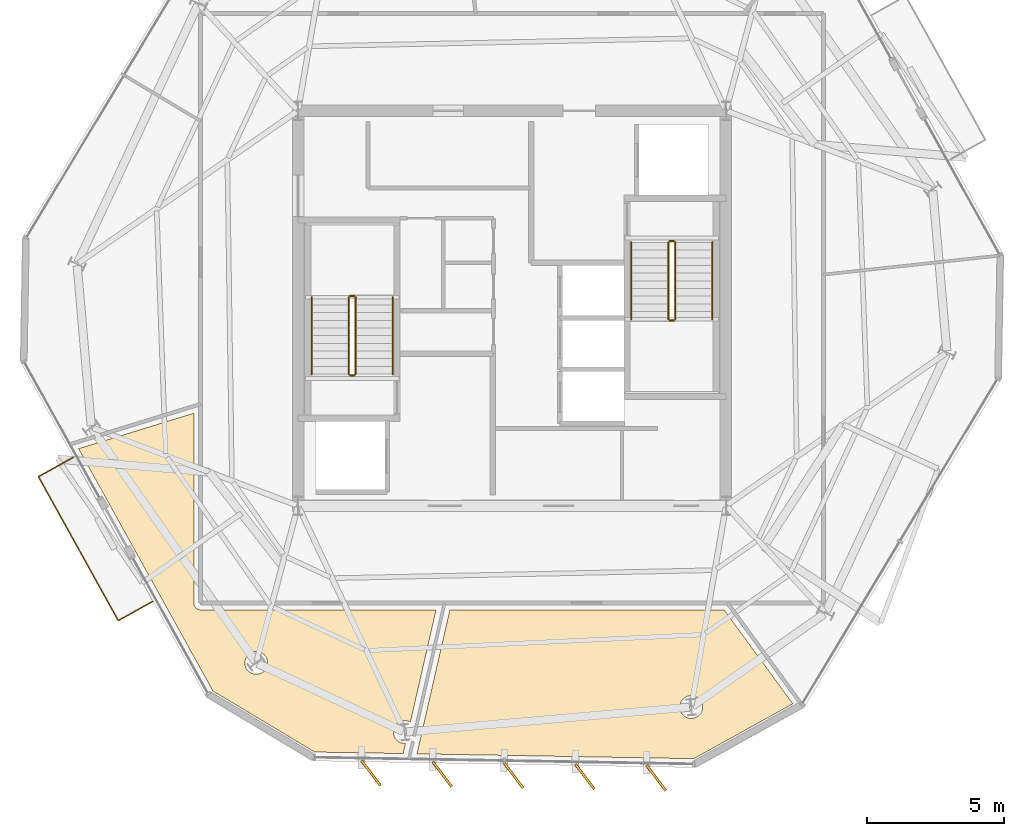
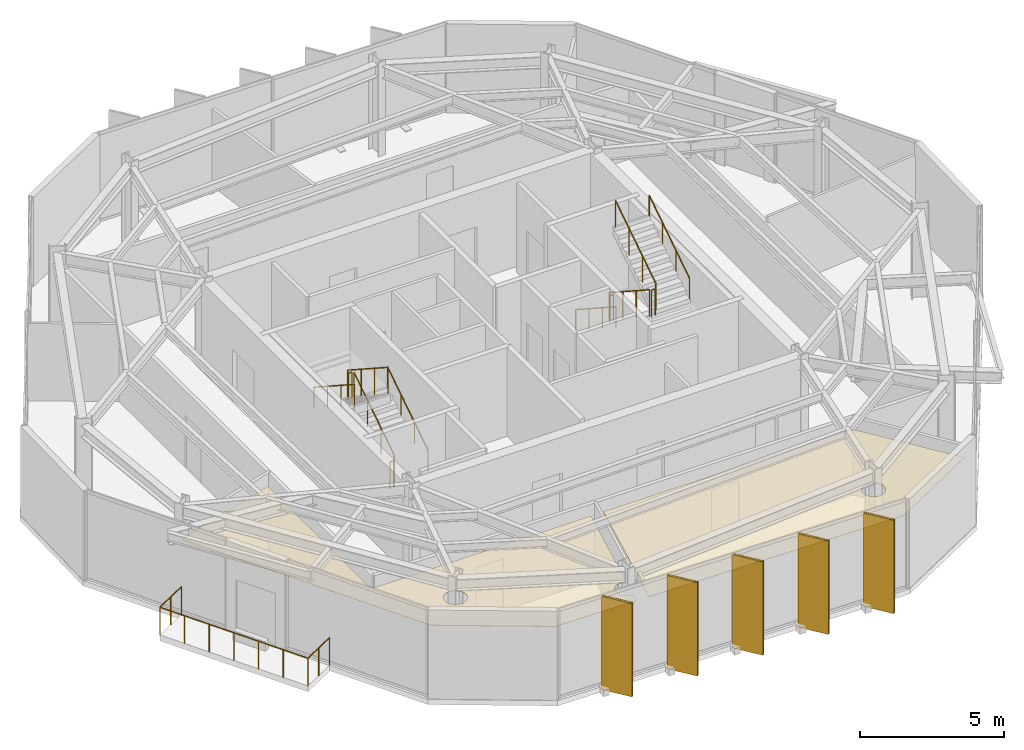
# One storey, part 9 of 10: 13 railings, 7 coverings, 5 shading devices.
"""IFC4 building model written with IfcOpenShell, lengths in metres."""

from ifc_helpers import new_model, si_unit, direction, frame, origin, origin_2d, place, context, subcontext, project, spatial, polyline, rectangle, circle, outline, extrude, material, layer, layer_set, type_object, element, save


model = new_model("IFC4")

# Units and contexts
model_context = context("Model", 3, precision=1e-05, world=origin(), true_north=direction((0.0, 1.0)))
body_context = subcontext(model_context, "Body", "Model", "MODEL_VIEW")
ifc_project = project(units=[si_unit("LENGTHUNIT", "METRE"), si_unit("AREAUNIT", "SQUARE_METRE"), si_unit("VOLUMEUNIT", "CUBIC_METRE"), si_unit("PLANEANGLEUNIT", "RADIAN"), si_unit("MASSUNIT", "GRAM", prefix="KILO")], contexts=[model_context])

# Site, building, storey
site_placement = place(None, origin())
site = spatial("IfcSite", under=ifc_project, at=site_placement, CompositionType="ELEMENT")
building_placement = place(site_placement, origin())
building = spatial("IfcBuilding", under=site, at=building_placement, Name="Kranzbogen Civic Tower", CompositionType="ELEMENT")
storey_placement = place(building_placement, frame((0.0, 0.0, 262.199951171875)))
storey = spatial("IfcBuildingStorey", under=building, at=storey_placement, Name="L63", CompositionType="ELEMENT", Elevation=262.199951171875)

# Coverings
ifc_material_1 = material(Name="Pale Anodised Aluminium", Category="aluminium")
ifc_layer_1 = layer(ifc_material_1, 0.02490234375, Name="Pale Anodised Aluminium")
ifc_layer_set_1 = layer_set([ifc_layer_1], Name="Pale Anodised Aluminium")
covering_type_1 = type_object("IfcCoveringType", Name="Anodised Aluminium Vertical Fin Cladding 25 mm", PredefinedType="CLADDING", material=ifc_layer_set_1)
for number, where, z_axis, x_axis, name in (
    (1, (19.85888671875, 8.06005859375, -0.139892578125), (0.0, 0.0, 1.0), (0.603722919162, -0.797194227826, 0.0), "L63 vertical fin pale-metal cladding F4-1"),
    (2, (22.4580078125, 8.014892578125, -0.139892578125), (0.0, 0.0, 1.0), (0.603722919162, -0.797194227826, 0.0), "L63 vertical fin pale-metal cladding F4-2"),
    (3, (25.05810546875, 7.968994140625, -0.139892578125), (0.0, 0.0, 1.0), (0.603722919162, -0.797194227826, 0.0), "L63 vertical fin pale-metal cladding F4-3"),
    (4, (27.657958984375, 7.924072265625, -0.139892578125), (0.0, 0.0, 1.0), (0.603722919162, -0.797194227826, 0.0), "L63 vertical fin pale-metal cladding F4-4"),
    (5, (30.257080078125, 7.8779296875, -0.139892578125), (0.0, 0.0, 1.0), (0.603722919162, -0.797194227826, 0.0), "L63 vertical fin pale-metal cladding F4-5"),
):
    element("IfcCovering", number, at=place(storey_placement, frame(where, z_axis=z_axis, x_axis=x_axis)), inside=storey, type_object=covering_type_1, Name=name, PredefinedType="CLADDING", context=body_context, shape_type="SweptSolid", body=[
        extrude(rectangle(XDim=1.14990234375, YDim=0.094970703125, at=origin_2d()), origin(), (0.0, 0.0, 1.0), 3.9599609375),
    ])

# Railings
ifc_material_2 = material(Name="Anodised Bronze Aluminium", Category="aluminium")
railing_type_1 = type_object("IfcRailingType", Name="Cantilevered Balcony Glass and Bronze Balustrade 1200", PredefinedType="BALUSTRADE", material=ifc_material_2)
railing_1_placement = place(storey_placement, frame((9.0048828125, 19.56396484375, 0.0)))
element("IfcRailing", 6, at=railing_1_placement, inside=storey, type_object=railing_type_1, Name="L63 exterior terrace balustrade L63-TB2", PredefinedType="BALUSTRADE", context=body_context, shape_type="SweptSolid", body=[
    extrude(circle(Radius=0.02392578125, at=origin_2d()), frame((0.0, 0.0, 1.17578125), z_axis=(-0.87458592003, -0.484870568797, 0.0), x_axis=(0.484870568797, -0.87458592003, 0.0)), (0.0, 0.0, 1.0), 1.44970703125),
    extrude(circle(Radius=0.02392578125, at=origin_2d()), frame((-1.267822265625, -0.702880859375, 1.17578125), z_axis=(0.484796318469, -0.874627080303, 0.0), x_axis=(0.874627080303, 0.484796318469, 0.0)), (0.0, 0.0, 1.0), 6.000244140625),
    extrude(circle(Radius=0.02392578125, at=origin_2d()), frame((1.64111328125, -5.950927734375, 1.17578125), z_axis=(0.874625505869, 0.484799158914, 0.0), x_axis=(-0.484799158914, 0.874625505869, 0.0)), (0.0, 0.0, 1.0), 1.449951171875),
    extrude(circle(Radius=0.02099609375, at=origin_2d()), origin(), (0.0, 0.0, 1.0), 1.15185546875),
    extrude(circle(Radius=0.02099609375, at=origin_2d()), frame((-0.6337890625, -0.3515625, 0.0)), (0.0, 0.0, 1.0), 1.15185546875),
    extrude(circle(Radius=0.02099609375, at=origin_2d()), frame((-1.267822265625, -0.702880859375, 0.0)), (0.0, 0.0, 1.0), 1.15185546875),
    extrude(circle(Radius=0.02099609375, at=origin_2d()), frame((-0.782958984375, -1.57763671875, 0.0)), (0.0, 0.0, 1.0), 1.15185546875),
    extrude(circle(Radius=0.02099609375, at=origin_2d()), frame((-0.298095703125, -2.4521484375, 0.0)), (0.0, 0.0, 1.0), 1.15185546875),
    extrude(circle(Radius=0.02099609375, at=origin_2d()), frame((0.1865234375, -3.326904296875, 0.0)), (0.0, 0.0, 1.0), 1.15185546875),
    extrude(circle(Radius=0.02099609375, at=origin_2d()), frame((0.67138671875, -4.20166015625, 0.0)), (0.0, 0.0, 1.0), 1.15185546875),
    extrude(circle(Radius=0.02099609375, at=origin_2d()), frame((1.15625, -5.076171875, 0.0)), (0.0, 0.0, 1.0), 1.15185546875),
    extrude(circle(Radius=0.02099609375, at=origin_2d()), frame((1.64111328125, -5.950927734375, 0.0)), (0.0, 0.0, 1.0), 1.15185546875),
    extrude(circle(Radius=0.02099609375, at=origin_2d()), frame((2.275146484375, -5.599609375, 0.0)), (0.0, 0.0, 1.0), 1.15185546875),
    extrude(circle(Radius=0.02099609375, at=origin_2d()), frame((2.9091796875, -5.248046875, 0.0)), (0.0, 0.0, 1.0), 1.15185546875),
])
ifc_material_3 = material(Name="Steel S355", Category="steel")
railing_type_2 = type_object("IfcRailingType", Name="Internal Stair and Void Steel Guardrail 1150", PredefinedType="GUARDRAIL", material=ifc_material_3)
railing_2_placement = place(storey_placement, frame((19.300048828125, 22.60009765625, 0.181884765625)))
element("IfcRailing", 7, at=railing_2_placement, inside=storey, type_object=railing_type_2, Name="L63 ST-T1 stair guard 1", PredefinedType="GUARDRAIL", context=body_context, shape_type="SweptSolid", body=[
    extrude(circle(Radius=0.02392578125, at=origin_2d()), frame((0.0, 0.0, 1.1259765625), z_axis=(0.0, 0.83868413941, 0.544618136222), x_axis=(-1.0, 0.0, 0.0)), (0.0, 0.0, 1.0), 3.33837890625),
    extrude(circle(Radius=0.02099609375, at=origin_2d()), origin(), (0.0, 0.0, 1.0), 1.101806640625),
    extrude(circle(Radius=0.02099609375, at=origin_2d()), frame((0.0, 0.933349609375, 0.60595703125)), (0.0, 0.0, 1.0), 1.101806640625),
    extrude(circle(Radius=0.02099609375, at=origin_2d()), frame((0.0, 1.866455078125, 1.212158203125)), (0.0, 0.0, 1.0), 1.101806640625),
    extrude(circle(Radius=0.02099609375, at=origin_2d()), frame((0.0, 2.7998046875, 1.818115234375)), (0.0, 0.0, 1.0), 1.101806640625),
])
railing_3_placement = place(storey_placement, frame((19.25, 25.449951171875, 2.0)))
element("IfcRailing", 8, at=railing_3_placement, inside=storey, type_object=railing_type_2, Name="L63 ST-T1 stair guard 2", PredefinedType="GUARDRAIL", context=body_context, shape_type="SweptSolid", body=[
    extrude(circle(Radius=0.02392578125, at=origin_2d()), frame((0.0, 0.0, 1.1259765625), z_axis=(-1.0, 0.0, 0.0), x_axis=(0.0, -1.0, 0.0)), (0.0, 0.0, 1.0), 0.14990234375),
    extrude(circle(Radius=0.02099609375, at=origin_2d()), origin(), (0.0, 0.0, 1.0), 1.101806640625),
    extrude(circle(Radius=0.02099609375, at=origin_2d()), frame((-0.14990234375, 0.0, 0.0)), (0.0, 0.0, 1.0), 1.101806640625),
])
railing_4_placement = place(storey_placement, frame((19.050048828125, 25.39990234375, 2.181884765625)))
element("IfcRailing", 9, at=railing_4_placement, inside=storey, type_object=railing_type_2, Name="L63 ST-T1 stair guard 3", PredefinedType="GUARDRAIL", context=body_context, shape_type="SweptSolid", body=[
    extrude(circle(Radius=0.02392578125, at=origin_2d()), frame((0.0, 0.0, 1.1259765625), z_axis=(0.0, -0.83868413941, 0.544618136222), x_axis=(1.0, 0.0, 0.0)), (0.0, 0.0, 1.0), 3.33837890625),
    extrude(circle(Radius=0.02099609375, at=origin_2d()), origin(), (0.0, 0.0, 1.0), 1.101806640625),
    extrude(circle(Radius=0.02099609375, at=origin_2d()), frame((0.0, -0.933349609375, 0.60595703125)), (0.0, 0.0, 1.0), 1.101806640625),
    extrude(circle(Radius=0.02099609375, at=origin_2d()), frame((0.0, -1.866455078125, 1.212158203125)), (0.0, 0.0, 1.0), 1.101806640625),
    extrude(circle(Radius=0.02099609375, at=origin_2d()), frame((0.0, -2.7998046875, 1.818115234375)), (0.0, 0.0, 1.0), 1.101806640625),
])
railing_5_placement = place(storey_placement, frame((19.25, 22.550048828125, 0.0)))
element("IfcRailing", 10, at=railing_5_placement, inside=storey, type_object=railing_type_2, Name="L63 ST-T1 stair guard 4", PredefinedType="GUARDRAIL", context=body_context, shape_type="SweptSolid", body=[
    extrude(circle(Radius=0.02392578125, at=origin_2d()), frame((0.0, 0.0, 1.1259765625), z_axis=(-1.0, 0.0, 0.0), x_axis=(0.0, -1.0, 0.0)), (0.0, 0.0, 1.0), 0.14990234375),
    extrude(circle(Radius=0.02099609375, at=origin_2d()), origin(), (0.0, 0.0, 1.0), 1.101806640625),
    extrude(circle(Radius=0.02099609375, at=origin_2d()), frame((-0.14990234375, 0.0, 0.0)), (0.0, 0.0, 1.0), 1.101806640625),
])
railing_6_placement = place(storey_placement, frame((30.699951171875, 27.39990234375, 0.181884765625)))
element("IfcRailing", 11, at=railing_6_placement, inside=storey, type_object=railing_type_2, Name="L63 ST-T2 stair guard 1", PredefinedType="GUARDRAIL", context=body_context, shape_type="SweptSolid", body=[
    extrude(circle(Radius=0.02392578125, at=origin_2d()), frame((0.0, 0.0, 1.1259765625), z_axis=(0.0, -0.83868413941, 0.544618136222), x_axis=(1.0, 0.0, 0.0)), (0.0, 0.0, 1.0), 3.33837890625),
    extrude(circle(Radius=0.02099609375, at=origin_2d()), origin(), (0.0, 0.0, 1.0), 1.101806640625),
    extrude(circle(Radius=0.02099609375, at=origin_2d()), frame((0.0, -0.933349609375, 0.60595703125)), (0.0, 0.0, 1.0), 1.101806640625),
    extrude(circle(Radius=0.02099609375, at=origin_2d()), frame((0.0, -1.866455078125, 1.212158203125)), (0.0, 0.0, 1.0), 1.101806640625),
    extrude(circle(Radius=0.02099609375, at=origin_2d()), frame((0.0, -2.7998046875, 1.818115234375)), (0.0, 0.0, 1.0), 1.101806640625),
])
railing_7_placement = place(storey_placement, frame((30.75, 24.550048828125, 2.0)))
element("IfcRailing", 12, at=railing_7_placement, inside=storey, type_object=railing_type_2, Name="L63 ST-T2 stair guard 2", PredefinedType="GUARDRAIL", context=body_context, shape_type="SweptSolid", body=[
    extrude(circle(Radius=0.02392578125, at=origin_2d()), frame((0.0, 0.0, 1.1259765625), z_axis=(1.0, 0.0, 0.0), x_axis=(0.0, 1.0, 0.0)), (0.0, 0.0, 1.0), 0.14990234375),
    extrude(circle(Radius=0.02099609375, at=origin_2d()), origin(), (0.0, 0.0, 1.0), 1.101806640625),
    extrude(circle(Radius=0.02099609375, at=origin_2d()), frame((0.14990234375, 0.0, 0.0)), (0.0, 0.0, 1.0), 1.101806640625),
])
railing_8_placement = place(storey_placement, frame((30.949951171875, 24.60009765625, 2.181884765625)))
element("IfcRailing", 13, at=railing_8_placement, inside=storey, type_object=railing_type_2, Name="L63 ST-T2 stair guard 3", PredefinedType="GUARDRAIL", context=body_context, shape_type="SweptSolid", body=[
    extrude(circle(Radius=0.02392578125, at=origin_2d()), frame((0.0, 0.0, 1.1259765625), z_axis=(0.0, 0.83868413941, 0.544618136222), x_axis=(-1.0, 0.0, 0.0)), (0.0, 0.0, 1.0), 3.33837890625),
    extrude(circle(Radius=0.02099609375, at=origin_2d()), origin(), (0.0, 0.0, 1.0), 1.101806640625),
    extrude(circle(Radius=0.02099609375, at=origin_2d()), frame((0.0, 0.933349609375, 0.60595703125)), (0.0, 0.0, 1.0), 1.101806640625),
    extrude(circle(Radius=0.02099609375, at=origin_2d()), frame((0.0, 1.866455078125, 1.212158203125)), (0.0, 0.0, 1.0), 1.101806640625),
    extrude(circle(Radius=0.02099609375, at=origin_2d()), frame((0.0, 2.7998046875, 1.818115234375)), (0.0, 0.0, 1.0), 1.101806640625),
])
railing_9_placement = place(storey_placement, frame((30.75, 27.449951171875, 0.0)))
element("IfcRailing", 14, at=railing_9_placement, inside=storey, type_object=railing_type_2, Name="L63 ST-T2 stair guard 4", PredefinedType="GUARDRAIL", context=body_context, shape_type="SweptSolid", body=[
    extrude(circle(Radius=0.02392578125, at=origin_2d()), frame((0.0, 0.0, 1.1259765625), z_axis=(1.0, 0.0, 0.0), x_axis=(0.0, 1.0, 0.0)), (0.0, 0.0, 1.0), 0.14990234375),
    extrude(circle(Radius=0.02099609375, at=origin_2d()), origin(), (0.0, 0.0, 1.0), 1.101806640625),
    extrude(circle(Radius=0.02099609375, at=origin_2d()), frame((0.14990234375, 0.0, 0.0)), (0.0, 0.0, 1.0), 1.101806640625),
])

# Shading devices
shading_device_type = type_object("IfcShadingDeviceType", Name="Pale Anodised Aluminium Crown Fin 1150x75", PredefinedType="USERDEFINED", material=ifc_material_1)
for number, where, z_axis, x_axis, name in (
    (15, (19.85888671875, 8.06005859375, -0.139892578125), (0.0, 0.0, 1.0), (0.603722919162, -0.797194227826, 0.0), "L63 vertical exterior shading fin F4-1"),
    (16, (22.4580078125, 8.014892578125, -0.139892578125), (0.0, 0.0, 1.0), (0.603722919162, -0.797194227826, 0.0), "L63 vertical exterior shading fin F4-2"),
    (17, (25.05810546875, 7.968994140625, -0.139892578125), (0.0, 0.0, 1.0), (0.603722919162, -0.797194227826, 0.0), "L63 vertical exterior shading fin F4-3"),
    (18, (27.657958984375, 7.924072265625, -0.139892578125), (0.0, 0.0, 1.0), (0.603722919162, -0.797194227826, 0.0), "L63 vertical exterior shading fin F4-4"),
    (19, (30.257080078125, 7.8779296875, -0.139892578125), (0.0, 0.0, 1.0), (0.603722919162, -0.797194227826, 0.0), "L63 vertical exterior shading fin F4-5"),
):
    element("IfcShadingDevice", number, at=place(storey_placement, frame(where, z_axis=z_axis, x_axis=x_axis)), inside=storey, type_object=shading_device_type, Name=name, ObjectType="FIN", PredefinedType="USERDEFINED", context=body_context, shape_type="SweptSolid", body=[
        extrude(rectangle(XDim=1.14990234375, YDim=0.074951171875, at=origin_2d()), origin(), (0.0, 0.0, 1.0), 3.9599609375),
    ])

# Coverings
ifc_material_4 = material(Name="Perforated Acoustic Gypsum Ceiling")
ifc_layer_2 = layer(ifc_material_4, 0.02490234375, Name="Perforated Acoustic Gypsum Ceiling")
ifc_layer_set_2 = layer_set([ifc_layer_2], Name="Perforated Acoustic Gypsum Ceiling")
covering_type_2 = type_object("IfcCoveringType", Name="Perforated Acoustic Mineral Ceiling Tile 25 mm", PredefinedType="CEILING", material=ifc_layer_set_2)
covering_1_placement = place(storey_placement, frame((0.0, 0.0, 2.900146484375)))
element("IfcCovering", 20, at=covering_1_placement, inside=storey, type_object=covering_type_2, Name="L63 Public Delegation Reception acoustic ceiling", PredefinedType="CEILING", context=body_context, shape_type="SweptSolid", body=[
    extrude(outline(polyline([(14.094970703125, 11.051025390625), (9.201904296875, 19.8798828125), (13.405029296875, 21.174072265625), (13.405029296875, 14.25), (13.405029296875, 14.240966796875), (13.406005859375, 14.235107421875), (13.406982421875, 14.217041015625), (13.407958984375, 14.2109375), (13.412109375, 14.194091796875), (13.4130859375, 14.18701171875), (13.41796875, 14.169921875), (13.419921875, 14.1640625), (13.427001953125, 14.14794921875), (13.429931640625, 14.14208984375), (13.43798828125, 14.126953125), (13.44189453125, 14.12109375), (13.450927734375, 14.10693359375), (13.455078125, 14.10205078125), (13.466064453125, 14.087890625), (13.470947265625, 14.0830078125), (13.48291015625, 14.071044921875), (13.488037109375, 14.06591796875), (13.501953125, 14.054931640625), (13.507080078125, 14.051025390625), (13.52099609375, 14.0419921875), (13.527099609375, 14.0380859375), (13.5419921875, 14.030029296875), (13.548095703125, 14.027099609375), (13.56396484375, 14.02001953125), (13.570068359375, 14.01806640625), (13.5869140625, 14.012939453125), (13.593994140625, 14.011962890625), (13.611083984375, 14.008056640625), (13.616943359375, 14.007080078125), (13.635009765625, 14.006103515625), (13.64111328125, 14.0048828125), (13.64990234375, 14.0048828125), (22.23291015625, 14.0048828125), (21.2958984375, 9.910888671875), (21.287109375, 9.916015625), (21.25, 9.93408203125), (21.2119140625, 9.947998046875), (21.172119140625, 9.95703125), (21.132080078125, 9.962890625), (21.091064453125, 9.965087890625), (21.050048828125, 9.962890625), (21.010009765625, 9.95703125), (20.969970703125, 9.947998046875), (20.931884765625, 9.93408203125), (20.89501953125, 9.916015625), (20.860107421875, 9.89501953125), (20.826904296875, 9.87109375), (20.797119140625, 9.843994140625), (20.77001953125, 9.81396484375), (20.74609375, 9.781005859375), (20.72509765625, 9.74609375), (20.70703125, 9.708984375), (20.693115234375, 9.6708984375), (20.68408203125, 9.631103515625), (20.677978515625, 9.591064453125), (20.676025390625, 9.550048828125), (20.677978515625, 9.509033203125), (20.68408203125, 9.468994140625), (20.693115234375, 9.428955078125), (20.70703125, 9.39111328125), (20.72509765625, 9.35400390625), (20.74609375, 9.319091796875), (20.77001953125, 9.285888671875), (20.797119140625, 9.256103515625), (20.826904296875, 9.22900390625), (20.860107421875, 9.205078125), (20.89501953125, 9.18408203125), (20.931884765625, 9.166015625), (20.969970703125, 9.152099609375), (21.010009765625, 9.14306640625), (21.050048828125, 9.136962890625), (21.091064453125, 9.135009765625), (21.118896484375, 9.135986328125), (21.033935546875, 8.76708984375), (17.803955078125, 8.822998046875), (14.094970703125, 11.051025390625)]), holes=[polyline([(16.06201171875, 11.9150390625), (16.0439453125, 11.8779296875), (16.02294921875, 11.843017578125), (15.9990234375, 11.81005859375), (15.971923828125, 11.780029296875), (15.94189453125, 11.7529296875), (15.908935546875, 11.72900390625), (15.8740234375, 11.7080078125), (15.8369140625, 11.68994140625), (15.799072265625, 11.676025390625), (15.759033203125, 11.6669921875), (15.718994140625, 11.660888671875), (15.677978515625, 11.658935546875), (15.636962890625, 11.660888671875), (15.596923828125, 11.6669921875), (15.556884765625, 11.676025390625), (15.51904296875, 11.68994140625), (15.48193359375, 11.7080078125), (15.447021484375, 11.72900390625), (15.4140625, 11.7529296875), (15.384033203125, 11.780029296875), (15.35693359375, 11.81005859375), (15.3330078125, 11.843017578125), (15.31201171875, 11.8779296875), (15.2939453125, 11.9150390625), (15.280029296875, 11.952880859375), (15.27099609375, 11.992919921875), (15.264892578125, 12.032958984375), (15.262939453125, 12.073974609375), (15.264892578125, 12.114990234375), (15.27099609375, 12.155029296875), (15.280029296875, 12.195068359375), (15.2939453125, 12.23291015625), (15.31201171875, 12.27001953125), (15.3330078125, 12.304931640625), (15.35693359375, 12.337890625), (15.384033203125, 12.367919921875), (15.4140625, 12.39501953125), (15.447021484375, 12.4189453125), (15.48193359375, 12.43994140625), (15.51904296875, 12.4580078125), (15.556884765625, 12.471923828125), (15.596923828125, 12.48095703125), (15.636962890625, 12.487060546875), (15.677978515625, 12.489013671875), (15.718994140625, 12.487060546875), (15.759033203125, 12.48095703125), (15.799072265625, 12.471923828125), (15.8369140625, 12.4580078125), (15.8740234375, 12.43994140625), (15.908935546875, 12.4189453125), (15.94189453125, 12.39501953125), (15.971923828125, 12.367919921875), (15.9990234375, 12.337890625), (16.02294921875, 12.304931640625), (16.0439453125, 12.27001953125), (16.06201171875, 12.23291015625), (16.075927734375, 12.195068359375), (16.0849609375, 12.155029296875), (16.091064453125, 12.114990234375), (16.093017578125, 12.073974609375), (16.091064453125, 12.032958984375), (16.0849609375, 11.992919921875), (16.075927734375, 11.952880859375), (16.06201171875, 11.9150390625)])]), origin(), (0.0, 0.0, 1.0), 0.02490234375),
])
covering_2_placement = place(storey_placement, frame((0.0, 0.0, 2.900146484375)))
element("IfcCovering", 21, at=covering_2_placement, inside=storey, type_object=covering_type_2, Name="L63 Visitor Concierge Foyer acoustic ceiling", PredefinedType="CEILING", context=body_context, shape_type="SweptSolid", body=[
    extrude(outline(polyline([(21.534912109375, 8.758056640625), (22.735107421875, 14.0048828125), (32.73291015625, 14.0048828125), (35.236083984375, 10.58203125), (31.6279296875, 8.5810546875), (21.534912109375, 8.758056640625)]), holes=[polyline([(31.9169921875, 10.304931640625), (31.89892578125, 10.26806640625), (31.8779296875, 10.23291015625), (31.85400390625, 10.199951171875), (31.826904296875, 10.169921875), (31.797119140625, 10.14306640625), (31.763916015625, 10.118896484375), (31.72900390625, 10.097900390625), (31.69189453125, 10.080078125), (31.654052734375, 10.06591796875), (31.614013671875, 10.056884765625), (31.573974609375, 10.051025390625), (31.532958984375, 10.049072265625), (31.491943359375, 10.051025390625), (31.451904296875, 10.056884765625), (31.412109375, 10.06591796875), (31.3740234375, 10.080078125), (31.3369140625, 10.097900390625), (31.302001953125, 10.118896484375), (31.26904296875, 10.14306640625), (31.239013671875, 10.169921875), (31.2119140625, 10.199951171875), (31.18798828125, 10.23291015625), (31.1669921875, 10.26806640625), (31.14892578125, 10.304931640625), (31.135009765625, 10.343017578125), (31.1259765625, 10.383056640625), (31.1201171875, 10.423095703125), (31.117919921875, 10.464111328125), (31.1201171875, 10.5048828125), (31.1259765625, 10.544921875), (31.135009765625, 10.5849609375), (31.14892578125, 10.623046875), (31.1669921875, 10.659912109375), (31.18798828125, 10.695068359375), (31.2119140625, 10.72802734375), (31.239013671875, 10.758056640625), (31.26904296875, 10.784912109375), (31.302001953125, 10.80908203125), (31.3369140625, 10.830078125), (31.3740234375, 10.847900390625), (31.412109375, 10.862060546875), (31.451904296875, 10.87109375), (31.491943359375, 10.876953125), (31.532958984375, 10.87890625), (31.573974609375, 10.876953125), (31.614013671875, 10.87109375), (31.654052734375, 10.862060546875), (31.69189453125, 10.847900390625), (31.72900390625, 10.830078125), (31.763916015625, 10.80908203125), (31.797119140625, 10.784912109375), (31.826904296875, 10.758056640625), (31.85400390625, 10.72802734375), (31.8779296875, 10.695068359375), (31.89892578125, 10.659912109375), (31.9169921875, 10.623046875), (31.930908203125, 10.5849609375), (31.93994140625, 10.544921875), (31.946044921875, 10.5048828125), (31.947998046875, 10.464111328125), (31.946044921875, 10.423095703125), (31.93994140625, 10.383056640625), (31.930908203125, 10.343017578125), (31.9169921875, 10.304931640625)])]), origin(), (0.0, 0.0, 1.0), 0.02490234375),
])

# Railings
railing_type_3 = type_object("IfcRailingType", Name="Tubular Stainless Stair Wall Handrail 900", PredefinedType="HANDRAIL", material=ifc_material_1)
railing_10_placement = place(storey_placement, frame((20.64990234375, 22.60009765625, 0.181884765625)))
element("IfcRailing", 22, at=railing_10_placement, inside=storey, type_object=railing_type_3, Name="L63 ST-T1 stair handrail 1", PredefinedType="HANDRAIL", context=body_context, shape_type="SweptSolid", body=[
    extrude(circle(Radius=0.02392578125, at=origin_2d()), frame((0.0, 0.0, 0.8759765625), z_axis=(0.0, 0.83868413941, 0.544618136222), x_axis=(-1.0, 0.0, 0.0)), (0.0, 0.0, 1.0), 3.33837890625),
    extrude(circle(Radius=0.02099609375, at=origin_2d()), origin(), (0.0, 0.0, 1.0), 0.851806640625),
    extrude(circle(Radius=0.02099609375, at=origin_2d()), frame((0.0, 0.933349609375, 0.60595703125)), (0.0, 0.0, 1.0), 0.851806640625),
    extrude(circle(Radius=0.02099609375, at=origin_2d()), frame((0.0, 1.866455078125, 1.212158203125)), (0.0, 0.0, 1.0), 0.851806640625),
    extrude(circle(Radius=0.02099609375, at=origin_2d()), frame((0.0, 2.7998046875, 1.818115234375)), (0.0, 0.0, 1.0), 0.851806640625),
])
for number, where, name in (
    (23, (17.699951171875, 25.39990234375, 2.181884765625), "L63 ST-T1 stair handrail 2"),
    (24, (29.35009765625, 27.39990234375, 0.181884765625), "L63 ST-T2 stair handrail 1"),
):
    element("IfcRailing", number, at=place(storey_placement, frame(where)), inside=storey, type_object=railing_type_3, Name=name, PredefinedType="HANDRAIL", context=body_context, shape_type="SweptSolid", body=[
        extrude(circle(Radius=0.02392578125, at=origin_2d()), frame((0.0, 0.0, 0.8759765625), z_axis=(0.0, -0.83868413941, 0.544618136222), x_axis=(1.0, 0.0, 0.0)), (0.0, 0.0, 1.0), 3.33837890625),
        extrude(circle(Radius=0.02099609375, at=origin_2d()), origin(), (0.0, 0.0, 1.0), 0.851806640625),
        extrude(circle(Radius=0.02099609375, at=origin_2d()), frame((0.0, -0.933349609375, 0.60595703125)), (0.0, 0.0, 1.0), 0.851806640625),
        extrude(circle(Radius=0.02099609375, at=origin_2d()), frame((0.0, -1.866455078125, 1.212158203125)), (0.0, 0.0, 1.0), 0.851806640625),
        extrude(circle(Radius=0.02099609375, at=origin_2d()), frame((0.0, -2.7998046875, 1.818115234375)), (0.0, 0.0, 1.0), 0.851806640625),
    ])
railing_11_placement = place(storey_placement, frame((32.300048828125, 24.60009765625, 2.181884765625)))
element("IfcRailing", 25, at=railing_11_placement, inside=storey, type_object=railing_type_3, Name="L63 ST-T2 stair handrail 2", PredefinedType="HANDRAIL", context=body_context, shape_type="SweptSolid", body=[
    extrude(circle(Radius=0.02392578125, at=origin_2d()), frame((0.0, 0.0, 0.8759765625), z_axis=(0.0, 0.83868413941, 0.544618136222), x_axis=(-1.0, 0.0, 0.0)), (0.0, 0.0, 1.0), 3.33837890625),
    extrude(circle(Radius=0.02099609375, at=origin_2d()), origin(), (0.0, 0.0, 1.0), 0.851806640625),
    extrude(circle(Radius=0.02099609375, at=origin_2d()), frame((0.0, 0.933349609375, 0.60595703125)), (0.0, 0.0, 1.0), 0.851806640625),
    extrude(circle(Radius=0.02099609375, at=origin_2d()), frame((0.0, 1.866455078125, 1.212158203125)), (0.0, 0.0, 1.0), 0.851806640625),
    extrude(circle(Radius=0.02099609375, at=origin_2d()), frame((0.0, 2.7998046875, 1.818115234375)), (0.0, 0.0, 1.0), 0.851806640625),
])

save(model, "model.ifc")
